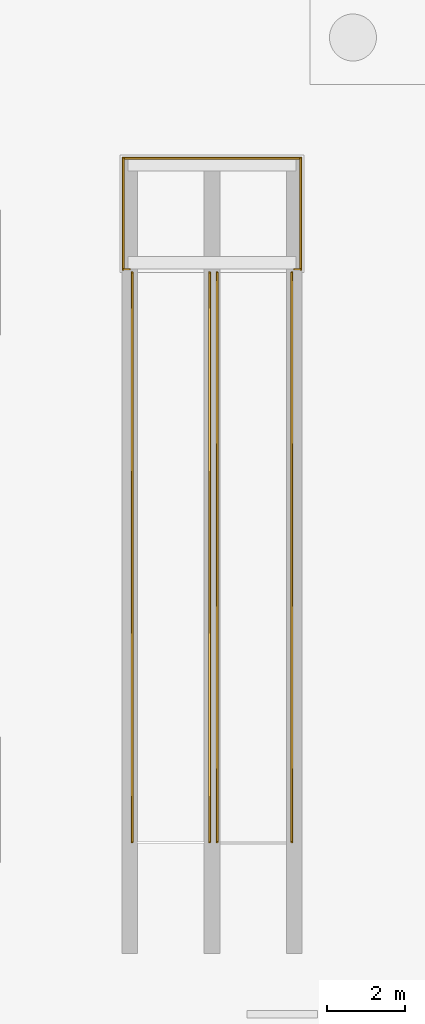
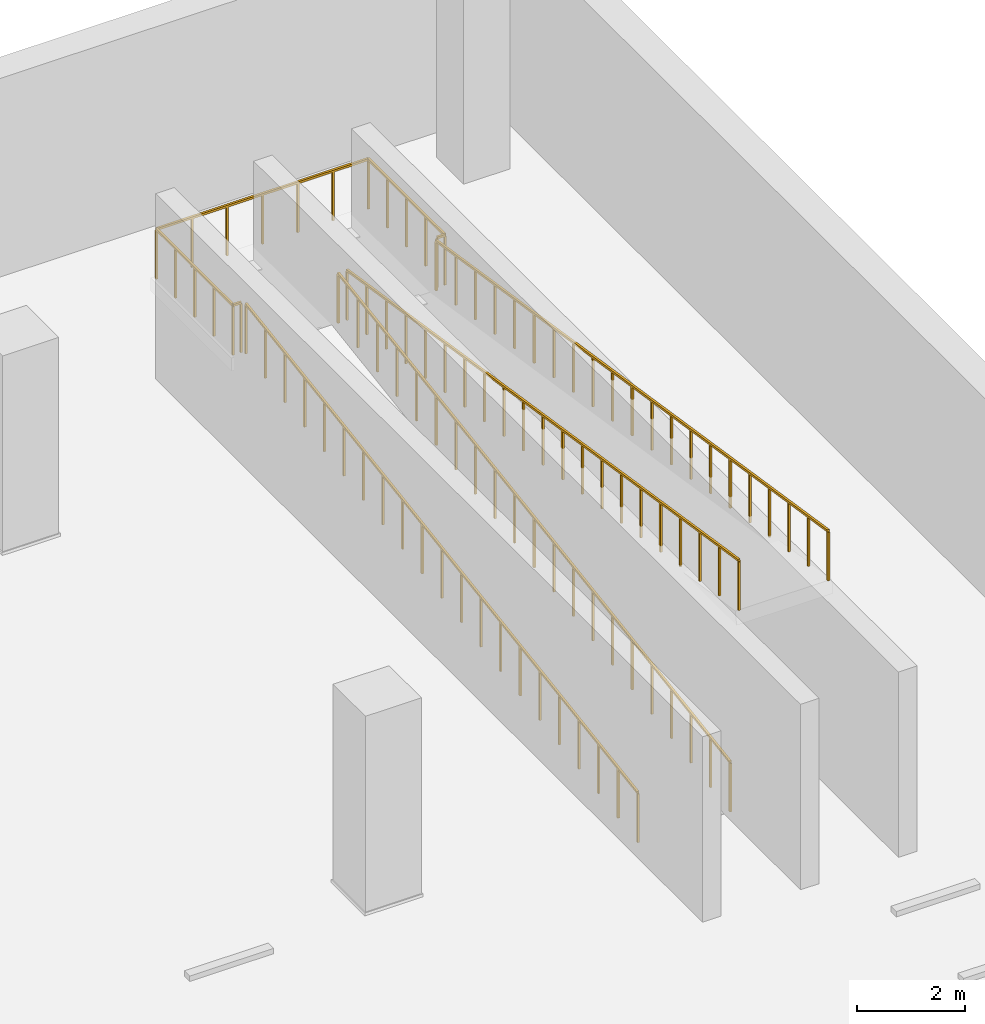
# One storey, part 7 of 8: 9 railings.
"""IFC4 building model written with IfcOpenShell, lengths in metres."""

from ifc_helpers import new_model, si_unit, direction, frame, origin, origin_2d, place, context, subcontext, project, spatial, rectangle, extrude, material, type_object, element, save


model = new_model("IFC4")

# Units and contexts
model_context = context("Model", 3, precision=1e-05, world=origin(), true_north=direction((0.0, 1.0)))
body_context = subcontext(model_context, "Body", "Model", "MODEL_VIEW")
ifc_project = project(units=[si_unit("LENGTHUNIT", "METRE"), si_unit("AREAUNIT", "SQUARE_METRE"), si_unit("VOLUMEUNIT", "CUBIC_METRE"), si_unit("PLANEANGLEUNIT", "RADIAN"), si_unit("MASSUNIT", "GRAM", prefix="KILO")], contexts=[model_context])

# Site, building, storey
site_placement = place(None, origin())
site = spatial("IfcSite", under=ifc_project, at=site_placement, CompositionType="ELEMENT")
building_placement = place(site_placement, origin())
building = spatial("IfcBuilding", under=site, at=building_placement, Name="Qhalaya Broadcast Tower", CompositionType="ELEMENT")
storey_placement = place(building_placement, frame((0.0, 0.0, -9.0)))
storey = spatial("IfcBuildingStorey", under=building, at=storey_placement, Name="B02", CompositionType="ELEMENT", Elevation=-9.0)

# Railings
ifc_material = material(Name="Powder-Coated Galvanised Steel", Category="steel")
railing_type = type_object("IfcRailingType", Name="Stair Well & Landing Guardrail 1100", PredefinedType="GUARDRAIL", material=ifc_material)
railing_1_placement = place(storey_placement, frame((30.800048828125, 20.280029296875, 2.25)))
element("IfcRailing", 1, at=railing_1_placement, inside=storey, type_object=railing_type, Name="B02 Ramp Mid-Landing Edge Barrier SW", PredefinedType="GUARDRAIL", context=body_context, shape_type="SweptSolid", body=[
    extrude(rectangle(XDim=0.048095703125, YDim=0.048095703125, at=origin_2d()), frame((0.0, 0.0, 1.1259765625), z_axis=(-1.0, 0.0, 0.0), x_axis=(0.0, -1.0, 0.0)), (0.0, 0.0, 1.0), 0.170166015625),
    extrude(rectangle(XDim=0.0419921875, YDim=0.0419921875, at=origin_2d()), origin(), (0.0, 0.0, 1.0), 1.099853515625),
    extrude(rectangle(XDim=0.0419921875, YDim=0.0419921875, at=origin_2d()), frame((-0.170166015625, 0.0, 0.0)), (0.0, 0.0, 1.0), 1.099853515625),
])
railing_2_placement = place(storey_placement, frame((30.6298828125, 20.280029296875, 2.25)))
element("IfcRailing", 2, at=railing_2_placement, inside=storey, type_object=railing_type, Name="B02 Ramp Mid-Landing Edge Barrier W", PredefinedType="GUARDRAIL", context=body_context, shape_type="SweptSolid", body=[
    extrude(rectangle(XDim=0.048095703125, YDim=0.048095703125, at=origin_2d()), frame((0.0, 0.0, 1.1259765625), z_axis=(0.0, 1.0, 0.0), x_axis=(-1.0, 0.0, 0.0)), (0.0, 0.0, 1.0), 2.840087890625),
    extrude(rectangle(XDim=0.0419921875, YDim=0.0419921875, at=origin_2d()), origin(), (0.0, 0.0, 1.0), 1.099853515625),
    extrude(rectangle(XDim=0.0419921875, YDim=0.0419921875, at=origin_2d()), frame((0.0, 0.7099609375, 0.0)), (0.0, 0.0, 1.0), 1.099853515625),
    extrude(rectangle(XDim=0.0419921875, YDim=0.0419921875, at=origin_2d()), frame((0.0, 1.419921875, 0.0)), (0.0, 0.0, 1.0), 1.099853515625),
    extrude(rectangle(XDim=0.0419921875, YDim=0.0419921875, at=origin_2d()), frame((0.0, 2.130126953125, 0.0)), (0.0, 0.0, 1.0), 1.099853515625),
    extrude(rectangle(XDim=0.0419921875, YDim=0.0419921875, at=origin_2d()), frame((0.0, 2.840087890625, 0.0)), (0.0, 0.0, 1.0), 1.099853515625),
])
railing_3_placement = place(storey_placement, frame((30.6298828125, 23.1201171875, 2.25)))
element("IfcRailing", 3, at=railing_3_placement, inside=storey, type_object=railing_type, Name="B02 Ramp Mid-Landing Edge Barrier N", PredefinedType="GUARDRAIL", context=body_context, shape_type="SweptSolid", body=[
    extrude(rectangle(XDim=0.048095703125, YDim=0.048095703125, at=origin_2d()), frame((0.0, 0.0, 1.1259765625), z_axis=(1.0, 0.0, 0.0), x_axis=(0.0, 1.0, 0.0)), (0.0, 0.0, 1.0), 4.5400390625),
    extrude(rectangle(XDim=0.0419921875, YDim=0.0419921875, at=origin_2d()), origin(), (0.0, 0.0, 1.0), 1.099853515625),
    extrude(rectangle(XDim=0.0419921875, YDim=0.0419921875, at=origin_2d()), frame((0.756591796875, 0.0, 0.0)), (0.0, 0.0, 1.0), 1.099853515625),
    extrude(rectangle(XDim=0.0419921875, YDim=0.0419921875, at=origin_2d()), frame((1.513427734375, 0.0, 0.0)), (0.0, 0.0, 1.0), 1.099853515625),
    extrude(rectangle(XDim=0.0419921875, YDim=0.0419921875, at=origin_2d()), frame((2.27001953125, 0.0, 0.0)), (0.0, 0.0, 1.0), 1.099853515625),
    extrude(rectangle(XDim=0.0419921875, YDim=0.0419921875, at=origin_2d()), frame((3.026611328125, 0.0, 0.0)), (0.0, 0.0, 1.0), 1.099853515625),
    extrude(rectangle(XDim=0.0419921875, YDim=0.0419921875, at=origin_2d()), frame((3.783447265625, 0.0, 0.0)), (0.0, 0.0, 1.0), 1.099853515625),
    extrude(rectangle(XDim=0.0419921875, YDim=0.0419921875, at=origin_2d()), frame((4.5400390625, 0.0, 0.0)), (0.0, 0.0, 1.0), 1.099853515625),
])
railing_4_placement = place(storey_placement, frame((35.169921875, 23.1201171875, 2.25)))
element("IfcRailing", 4, at=railing_4_placement, inside=storey, type_object=railing_type, Name="B02 Ramp Mid-Landing Edge Barrier E", PredefinedType="GUARDRAIL", context=body_context, shape_type="SweptSolid", body=[
    extrude(rectangle(XDim=0.048095703125, YDim=0.048095703125, at=origin_2d()), frame((0.0, 0.0, 1.1259765625), z_axis=(0.0, -1.0, 0.0), x_axis=(1.0, 0.0, 0.0)), (0.0, 0.0, 1.0), 2.840087890625),
    extrude(rectangle(XDim=0.0419921875, YDim=0.0419921875, at=origin_2d()), origin(), (0.0, 0.0, 1.0), 1.099853515625),
    extrude(rectangle(XDim=0.0419921875, YDim=0.0419921875, at=origin_2d()), frame((0.0, -0.7099609375, 0.0)), (0.0, 0.0, 1.0), 1.099853515625),
    extrude(rectangle(XDim=0.0419921875, YDim=0.0419921875, at=origin_2d()), frame((0.0, -1.419921875, 0.0)), (0.0, 0.0, 1.0), 1.099853515625),
    extrude(rectangle(XDim=0.0419921875, YDim=0.0419921875, at=origin_2d()), frame((0.0, -2.130126953125, 0.0)), (0.0, 0.0, 1.0), 1.099853515625),
    extrude(rectangle(XDim=0.0419921875, YDim=0.0419921875, at=origin_2d()), frame((0.0, -2.840087890625, 0.0)), (0.0, 0.0, 1.0), 1.099853515625),
])
railing_5_placement = place(storey_placement, frame((35.169921875, 20.280029296875, 2.25)))
element("IfcRailing", 5, at=railing_5_placement, inside=storey, type_object=railing_type, Name="B02 Ramp Mid-Landing Edge Barrier SE", PredefinedType="GUARDRAIL", context=body_context, shape_type="SweptSolid", body=[
    extrude(rectangle(XDim=0.048095703125, YDim=0.048095703125, at=origin_2d()), frame((0.0, 0.0, 1.1259765625), z_axis=(-1.0, 0.0, 0.0), x_axis=(0.0, -1.0, 0.0)), (0.0, 0.0, 1.0), 0.169921875),
    extrude(rectangle(XDim=0.0419921875, YDim=0.0419921875, at=origin_2d()), origin(), (0.0, 0.0, 1.0), 1.099853515625),
    extrude(rectangle(XDim=0.0419921875, YDim=0.0419921875, at=origin_2d()), frame((-0.169921875, 0.0, 0.0)), (0.0, 0.0, 1.0), 1.099853515625),
])
railing_6_placement = place(storey_placement, frame((30.860107421875, 5.64990234375, 0.0)))
element("IfcRailing", 6, at=railing_6_placement, inside=storey, type_object=railing_type, Name="B02 Sloped Vehicle Ramp Edge Barrier VR1-L", PredefinedType="GUARDRAIL", context=body_context, shape_type="SweptSolid", body=[
    extrude(rectangle(XDim=0.048095703125, YDim=0.048095703125, at=origin_2d()), frame((0.0, 0.0, 1.1259765625), z_axis=(0.0, 0.98825369615, 0.152822223664), x_axis=(-1.0, 0.0, 0.0)), (0.0, 0.0, 1.0), 14.722900390625),
    extrude(rectangle(XDim=0.0419921875, YDim=0.0419921875, at=origin_2d()), origin(), (0.0, 0.0, 1.0), 1.099853515625),
    extrude(rectangle(XDim=0.0419921875, YDim=0.0419921875, at=origin_2d()), frame((0.0, 0.7275390625, 0.112548828125)), (0.0, 0.0, 1.0), 1.099853515625),
    extrude(rectangle(XDim=0.0419921875, YDim=0.0419921875, at=origin_2d()), frame((0.0, 1.455078125, 0.22509765625)), (0.0, 0.0, 1.0), 1.099853515625),
    extrude(rectangle(XDim=0.0419921875, YDim=0.0419921875, at=origin_2d()), frame((0.0, 2.1826171875, 0.33740234375)), (0.0, 0.0, 1.0), 1.099853515625),
    extrude(rectangle(XDim=0.0419921875, YDim=0.0419921875, at=origin_2d()), frame((0.0, 2.909912109375, 0.449951171875)), (0.0, 0.0, 1.0), 1.099853515625),
    extrude(rectangle(XDim=0.0419921875, YDim=0.0419921875, at=origin_2d()), frame((0.0, 3.637451171875, 0.5625)), (0.0, 0.0, 1.0), 1.099853515625),
    extrude(rectangle(XDim=0.0419921875, YDim=0.0419921875, at=origin_2d()), frame((0.0, 4.364990234375, 0.675048828125)), (0.0, 0.0, 1.0), 1.099853515625),
    extrude(rectangle(XDim=0.0419921875, YDim=0.0419921875, at=origin_2d()), frame((0.0, 5.092529296875, 0.78759765625)), (0.0, 0.0, 1.0), 1.099853515625),
    extrude(rectangle(XDim=0.0419921875, YDim=0.0419921875, at=origin_2d()), frame((0.0, 5.820068359375, 0.89990234375)), (0.0, 0.0, 1.0), 1.099853515625),
    extrude(rectangle(XDim=0.0419921875, YDim=0.0419921875, at=origin_2d()), frame((0.0, 6.547607421875, 1.012451171875)), (0.0, 0.0, 1.0), 1.099853515625),
    extrude(rectangle(XDim=0.0419921875, YDim=0.0419921875, at=origin_2d()), frame((0.0, 7.27490234375, 1.125)), (0.0, 0.0, 1.0), 1.099853515625),
    extrude(rectangle(XDim=0.0419921875, YDim=0.0419921875, at=origin_2d()), frame((0.0, 8.00244140625, 1.237548828125)), (0.0, 0.0, 1.0), 1.099853515625),
    extrude(rectangle(XDim=0.0419921875, YDim=0.0419921875, at=origin_2d()), frame((0.0, 8.72998046875, 1.35009765625)), (0.0, 0.0, 1.0), 1.099853515625),
    extrude(rectangle(XDim=0.0419921875, YDim=0.0419921875, at=origin_2d()), frame((0.0, 9.45751953125, 1.46240234375)), (0.0, 0.0, 1.0), 1.099853515625),
    extrude(rectangle(XDim=0.0419921875, YDim=0.0419921875, at=origin_2d()), frame((0.0, 10.18505859375, 1.574951171875)), (0.0, 0.0, 1.0), 1.099853515625),
    extrude(rectangle(XDim=0.0419921875, YDim=0.0419921875, at=origin_2d()), frame((0.0, 10.91259765625, 1.6875)), (0.0, 0.0, 1.0), 1.099853515625),
    extrude(rectangle(XDim=0.0419921875, YDim=0.0419921875, at=origin_2d()), frame((0.0, 11.64013671875, 1.800048828125)), (0.0, 0.0, 1.0), 1.099853515625),
    extrude(rectangle(XDim=0.0419921875, YDim=0.0419921875, at=origin_2d()), frame((0.0, 12.367431640625, 1.91259765625)), (0.0, 0.0, 1.0), 1.099853515625),
    extrude(rectangle(XDim=0.0419921875, YDim=0.0419921875, at=origin_2d()), frame((0.0, 13.094970703125, 2.02490234375)), (0.0, 0.0, 1.0), 1.099853515625),
    extrude(rectangle(XDim=0.0419921875, YDim=0.0419921875, at=origin_2d()), frame((0.0, 13.822509765625, 2.137451171875)), (0.0, 0.0, 1.0), 1.099853515625),
    extrude(rectangle(XDim=0.0419921875, YDim=0.0419921875, at=origin_2d()), frame((0.0, 14.550048828125, 2.25)), (0.0, 0.0, 1.0), 1.099853515625),
])
railing_7_placement = place(storey_placement, frame((32.840087890625, 5.64990234375, 0.0)))
element("IfcRailing", 7, at=railing_7_placement, inside=storey, type_object=railing_type, Name="B02 Sloped Vehicle Ramp Edge Barrier VR1-R", PredefinedType="GUARDRAIL", context=body_context, shape_type="SweptSolid", body=[
    extrude(rectangle(XDim=0.048095703125, YDim=0.048095703125, at=origin_2d()), frame((0.0, 0.0, 1.1259765625), z_axis=(0.0, 0.98825369615, 0.152822223664), x_axis=(-1.0, 0.0, 0.0)), (0.0, 0.0, 1.0), 14.722900390625),
    extrude(rectangle(XDim=0.0419921875, YDim=0.0419921875, at=origin_2d()), origin(), (0.0, 0.0, 1.0), 1.099853515625),
    extrude(rectangle(XDim=0.0419921875, YDim=0.0419921875, at=origin_2d()), frame((0.0, 0.7275390625, 0.112548828125)), (0.0, 0.0, 1.0), 1.099853515625),
    extrude(rectangle(XDim=0.0419921875, YDim=0.0419921875, at=origin_2d()), frame((0.0, 1.455078125, 0.22509765625)), (0.0, 0.0, 1.0), 1.099853515625),
    extrude(rectangle(XDim=0.0419921875, YDim=0.0419921875, at=origin_2d()), frame((0.0, 2.1826171875, 0.33740234375)), (0.0, 0.0, 1.0), 1.099853515625),
    extrude(rectangle(XDim=0.0419921875, YDim=0.0419921875, at=origin_2d()), frame((0.0, 2.909912109375, 0.449951171875)), (0.0, 0.0, 1.0), 1.099853515625),
    extrude(rectangle(XDim=0.0419921875, YDim=0.0419921875, at=origin_2d()), frame((0.0, 3.637451171875, 0.5625)), (0.0, 0.0, 1.0), 1.099853515625),
    extrude(rectangle(XDim=0.0419921875, YDim=0.0419921875, at=origin_2d()), frame((0.0, 4.364990234375, 0.675048828125)), (0.0, 0.0, 1.0), 1.099853515625),
    extrude(rectangle(XDim=0.0419921875, YDim=0.0419921875, at=origin_2d()), frame((0.0, 5.092529296875, 0.78759765625)), (0.0, 0.0, 1.0), 1.099853515625),
    extrude(rectangle(XDim=0.0419921875, YDim=0.0419921875, at=origin_2d()), frame((0.0, 5.820068359375, 0.89990234375)), (0.0, 0.0, 1.0), 1.099853515625),
    extrude(rectangle(XDim=0.0419921875, YDim=0.0419921875, at=origin_2d()), frame((0.0, 6.547607421875, 1.012451171875)), (0.0, 0.0, 1.0), 1.099853515625),
    extrude(rectangle(XDim=0.0419921875, YDim=0.0419921875, at=origin_2d()), frame((0.0, 7.27490234375, 1.125)), (0.0, 0.0, 1.0), 1.099853515625),
    extrude(rectangle(XDim=0.0419921875, YDim=0.0419921875, at=origin_2d()), frame((0.0, 8.00244140625, 1.237548828125)), (0.0, 0.0, 1.0), 1.099853515625),
    extrude(rectangle(XDim=0.0419921875, YDim=0.0419921875, at=origin_2d()), frame((0.0, 8.72998046875, 1.35009765625)), (0.0, 0.0, 1.0), 1.099853515625),
    extrude(rectangle(XDim=0.0419921875, YDim=0.0419921875, at=origin_2d()), frame((0.0, 9.45751953125, 1.46240234375)), (0.0, 0.0, 1.0), 1.099853515625),
    extrude(rectangle(XDim=0.0419921875, YDim=0.0419921875, at=origin_2d()), frame((0.0, 10.18505859375, 1.574951171875)), (0.0, 0.0, 1.0), 1.099853515625),
    extrude(rectangle(XDim=0.0419921875, YDim=0.0419921875, at=origin_2d()), frame((0.0, 10.91259765625, 1.6875)), (0.0, 0.0, 1.0), 1.099853515625),
    extrude(rectangle(XDim=0.0419921875, YDim=0.0419921875, at=origin_2d()), frame((0.0, 11.64013671875, 1.800048828125)), (0.0, 0.0, 1.0), 1.099853515625),
    extrude(rectangle(XDim=0.0419921875, YDim=0.0419921875, at=origin_2d()), frame((0.0, 12.367431640625, 1.91259765625)), (0.0, 0.0, 1.0), 1.099853515625),
    extrude(rectangle(XDim=0.0419921875, YDim=0.0419921875, at=origin_2d()), frame((0.0, 13.094970703125, 2.02490234375)), (0.0, 0.0, 1.0), 1.099853515625),
    extrude(rectangle(XDim=0.0419921875, YDim=0.0419921875, at=origin_2d()), frame((0.0, 13.822509765625, 2.137451171875)), (0.0, 0.0, 1.0), 1.099853515625),
    extrude(rectangle(XDim=0.0419921875, YDim=0.0419921875, at=origin_2d()), frame((0.0, 14.550048828125, 2.25)), (0.0, 0.0, 1.0), 1.099853515625),
])
railing_8_placement = place(storey_placement, frame((33.030029296875, 20.199951171875, 2.25)))
element("IfcRailing", 8, at=railing_8_placement, inside=storey, type_object=railing_type, Name="B02 Sloped Vehicle Ramp Edge Barrier VR2-L", PredefinedType="GUARDRAIL", context=body_context, shape_type="SweptSolid", body=[
    extrude(rectangle(XDim=0.048095703125, YDim=0.048095703125, at=origin_2d()), frame((0.0, 0.0, 1.1259765625), z_axis=(0.0, -0.98825369615, 0.152822223664), x_axis=(1.0, 0.0, 0.0)), (0.0, 0.0, 1.0), 14.722900390625),
    extrude(rectangle(XDim=0.0419921875, YDim=0.0419921875, at=origin_2d()), origin(), (0.0, 0.0, 1.0), 1.099853515625),
    extrude(rectangle(XDim=0.0419921875, YDim=0.0419921875, at=origin_2d()), frame((0.0, -0.7275390625, 0.112548828125)), (0.0, 0.0, 1.0), 1.099853515625),
    extrude(rectangle(XDim=0.0419921875, YDim=0.0419921875, at=origin_2d()), frame((0.0, -1.455078125, 0.22509765625)), (0.0, 0.0, 1.0), 1.099853515625),
    extrude(rectangle(XDim=0.0419921875, YDim=0.0419921875, at=origin_2d()), frame((0.0, -2.1826171875, 0.33740234375)), (0.0, 0.0, 1.0), 1.099853515625),
    extrude(rectangle(XDim=0.0419921875, YDim=0.0419921875, at=origin_2d()), frame((0.0, -2.909912109375, 0.449951171875)), (0.0, 0.0, 1.0), 1.099853515625),
    extrude(rectangle(XDim=0.0419921875, YDim=0.0419921875, at=origin_2d()), frame((0.0, -3.637451171875, 0.5625)), (0.0, 0.0, 1.0), 1.099853515625),
    extrude(rectangle(XDim=0.0419921875, YDim=0.0419921875, at=origin_2d()), frame((0.0, -4.364990234375, 0.675048828125)), (0.0, 0.0, 1.0), 1.099853515625),
    extrude(rectangle(XDim=0.0419921875, YDim=0.0419921875, at=origin_2d()), frame((0.0, -5.092529296875, 0.78759765625)), (0.0, 0.0, 1.0), 1.099853515625),
    extrude(rectangle(XDim=0.0419921875, YDim=0.0419921875, at=origin_2d()), frame((0.0, -5.820068359375, 0.89990234375)), (0.0, 0.0, 1.0), 1.099853515625),
    extrude(rectangle(XDim=0.0419921875, YDim=0.0419921875, at=origin_2d()), frame((0.0, -6.547607421875, 1.012451171875)), (0.0, 0.0, 1.0), 1.099853515625),
    extrude(rectangle(XDim=0.0419921875, YDim=0.0419921875, at=origin_2d()), frame((0.0, -7.27490234375, 1.125)), (0.0, 0.0, 1.0), 1.099853515625),
    extrude(rectangle(XDim=0.0419921875, YDim=0.0419921875, at=origin_2d()), frame((0.0, -8.00244140625, 1.237548828125)), (0.0, 0.0, 1.0), 1.099853515625),
    extrude(rectangle(XDim=0.0419921875, YDim=0.0419921875, at=origin_2d()), frame((0.0, -8.72998046875, 1.35009765625)), (0.0, 0.0, 1.0), 1.099853515625),
    extrude(rectangle(XDim=0.0419921875, YDim=0.0419921875, at=origin_2d()), frame((0.0, -9.45751953125, 1.46240234375)), (0.0, 0.0, 1.0), 1.099853515625),
    extrude(rectangle(XDim=0.0419921875, YDim=0.0419921875, at=origin_2d()), frame((0.0, -10.18505859375, 1.574951171875)), (0.0, 0.0, 1.0), 1.099853515625),
    extrude(rectangle(XDim=0.0419921875, YDim=0.0419921875, at=origin_2d()), frame((0.0, -10.91259765625, 1.6875)), (0.0, 0.0, 1.0), 1.099853515625),
    extrude(rectangle(XDim=0.0419921875, YDim=0.0419921875, at=origin_2d()), frame((0.0, -11.64013671875, 1.800048828125)), (0.0, 0.0, 1.0), 1.099853515625),
    extrude(rectangle(XDim=0.0419921875, YDim=0.0419921875, at=origin_2d()), frame((0.0, -12.367431640625, 1.91259765625)), (0.0, 0.0, 1.0), 1.099853515625),
    extrude(rectangle(XDim=0.0419921875, YDim=0.0419921875, at=origin_2d()), frame((0.0, -13.094970703125, 2.02490234375)), (0.0, 0.0, 1.0), 1.099853515625),
    extrude(rectangle(XDim=0.0419921875, YDim=0.0419921875, at=origin_2d()), frame((0.0, -13.822509765625, 2.137451171875)), (0.0, 0.0, 1.0), 1.099853515625),
    extrude(rectangle(XDim=0.0419921875, YDim=0.0419921875, at=origin_2d()), frame((0.0, -14.550048828125, 2.25)), (0.0, 0.0, 1.0), 1.099853515625),
])
railing_9_placement = place(storey_placement, frame((34.93994140625, 20.199951171875, 2.25)))
element("IfcRailing", 9, at=railing_9_placement, inside=storey, type_object=railing_type, Name="B02 Sloped Vehicle Ramp Edge Barrier VR2-R", PredefinedType="GUARDRAIL", context=body_context, shape_type="SweptSolid", body=[
    extrude(rectangle(XDim=0.048095703125, YDim=0.048095703125, at=origin_2d()), frame((0.0, 0.0, 1.1259765625), z_axis=(0.0, -0.98825369615, 0.152822223664), x_axis=(1.0, 0.0, 0.0)), (0.0, 0.0, 1.0), 14.722900390625),
    extrude(rectangle(XDim=0.0419921875, YDim=0.0419921875, at=origin_2d()), origin(), (0.0, 0.0, 1.0), 1.099853515625),
    extrude(rectangle(XDim=0.0419921875, YDim=0.0419921875, at=origin_2d()), frame((0.0, -0.7275390625, 0.112548828125)), (0.0, 0.0, 1.0), 1.099853515625),
    extrude(rectangle(XDim=0.0419921875, YDim=0.0419921875, at=origin_2d()), frame((0.0, -1.455078125, 0.22509765625)), (0.0, 0.0, 1.0), 1.099853515625),
    extrude(rectangle(XDim=0.0419921875, YDim=0.0419921875, at=origin_2d()), frame((0.0, -2.1826171875, 0.33740234375)), (0.0, 0.0, 1.0), 1.099853515625),
    extrude(rectangle(XDim=0.0419921875, YDim=0.0419921875, at=origin_2d()), frame((0.0, -2.909912109375, 0.449951171875)), (0.0, 0.0, 1.0), 1.099853515625),
    extrude(rectangle(XDim=0.0419921875, YDim=0.0419921875, at=origin_2d()), frame((0.0, -3.637451171875, 0.5625)), (0.0, 0.0, 1.0), 1.099853515625),
    extrude(rectangle(XDim=0.0419921875, YDim=0.0419921875, at=origin_2d()), frame((0.0, -4.364990234375, 0.675048828125)), (0.0, 0.0, 1.0), 1.099853515625),
    extrude(rectangle(XDim=0.0419921875, YDim=0.0419921875, at=origin_2d()), frame((0.0, -5.092529296875, 0.78759765625)), (0.0, 0.0, 1.0), 1.099853515625),
    extrude(rectangle(XDim=0.0419921875, YDim=0.0419921875, at=origin_2d()), frame((0.0, -5.820068359375, 0.89990234375)), (0.0, 0.0, 1.0), 1.099853515625),
    extrude(rectangle(XDim=0.0419921875, YDim=0.0419921875, at=origin_2d()), frame((0.0, -6.547607421875, 1.012451171875)), (0.0, 0.0, 1.0), 1.099853515625),
    extrude(rectangle(XDim=0.0419921875, YDim=0.0419921875, at=origin_2d()), frame((0.0, -7.27490234375, 1.125)), (0.0, 0.0, 1.0), 1.099853515625),
    extrude(rectangle(XDim=0.0419921875, YDim=0.0419921875, at=origin_2d()), frame((0.0, -8.00244140625, 1.237548828125)), (0.0, 0.0, 1.0), 1.099853515625),
    extrude(rectangle(XDim=0.0419921875, YDim=0.0419921875, at=origin_2d()), frame((0.0, -8.72998046875, 1.35009765625)), (0.0, 0.0, 1.0), 1.099853515625),
    extrude(rectangle(XDim=0.0419921875, YDim=0.0419921875, at=origin_2d()), frame((0.0, -9.45751953125, 1.46240234375)), (0.0, 0.0, 1.0), 1.099853515625),
    extrude(rectangle(XDim=0.0419921875, YDim=0.0419921875, at=origin_2d()), frame((0.0, -10.18505859375, 1.574951171875)), (0.0, 0.0, 1.0), 1.099853515625),
    extrude(rectangle(XDim=0.0419921875, YDim=0.0419921875, at=origin_2d()), frame((0.0, -10.91259765625, 1.6875)), (0.0, 0.0, 1.0), 1.099853515625),
    extrude(rectangle(XDim=0.0419921875, YDim=0.0419921875, at=origin_2d()), frame((0.0, -11.64013671875, 1.800048828125)), (0.0, 0.0, 1.0), 1.099853515625),
    extrude(rectangle(XDim=0.0419921875, YDim=0.0419921875, at=origin_2d()), frame((0.0, -12.367431640625, 1.91259765625)), (0.0, 0.0, 1.0), 1.099853515625),
    extrude(rectangle(XDim=0.0419921875, YDim=0.0419921875, at=origin_2d()), frame((0.0, -13.094970703125, 2.02490234375)), (0.0, 0.0, 1.0), 1.099853515625),
    extrude(rectangle(XDim=0.0419921875, YDim=0.0419921875, at=origin_2d()), frame((0.0, -13.822509765625, 2.137451171875)), (0.0, 0.0, 1.0), 1.099853515625),
    extrude(rectangle(XDim=0.0419921875, YDim=0.0419921875, at=origin_2d()), frame((0.0, -14.550048828125, 2.25)), (0.0, 0.0, 1.0), 1.099853515625),
])

save(model, "model.ifc")
